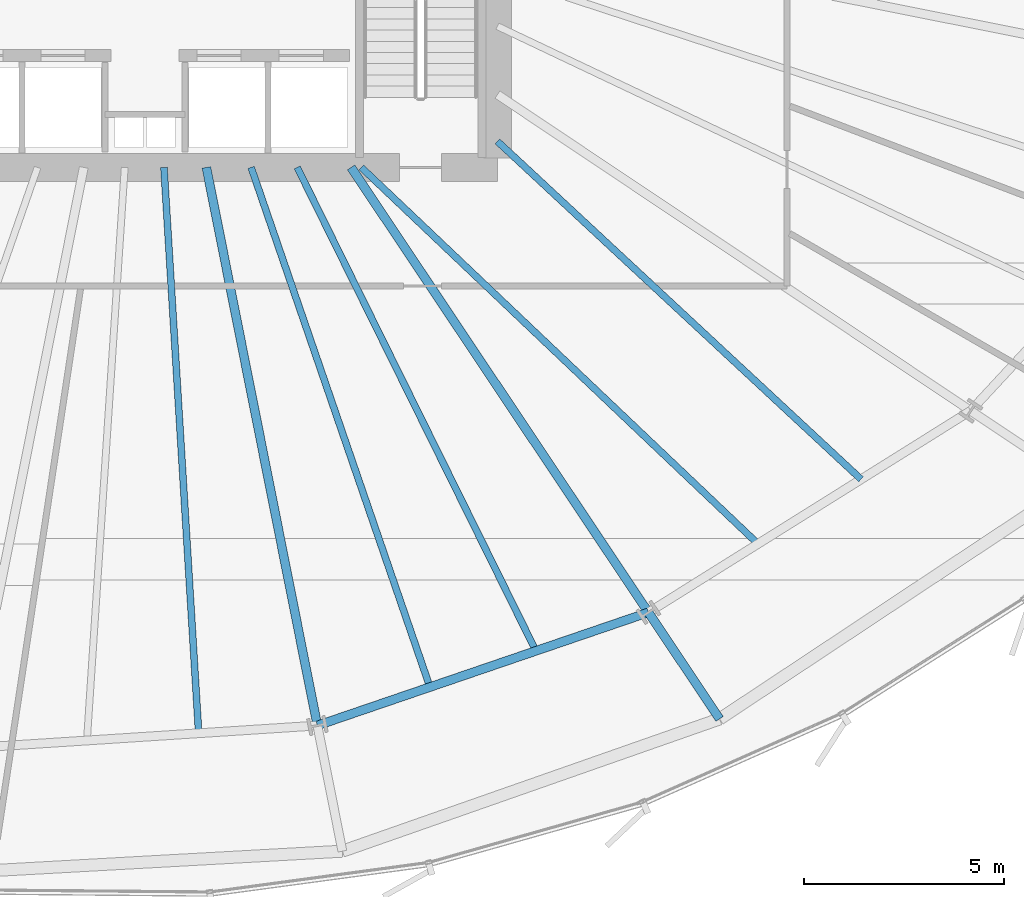
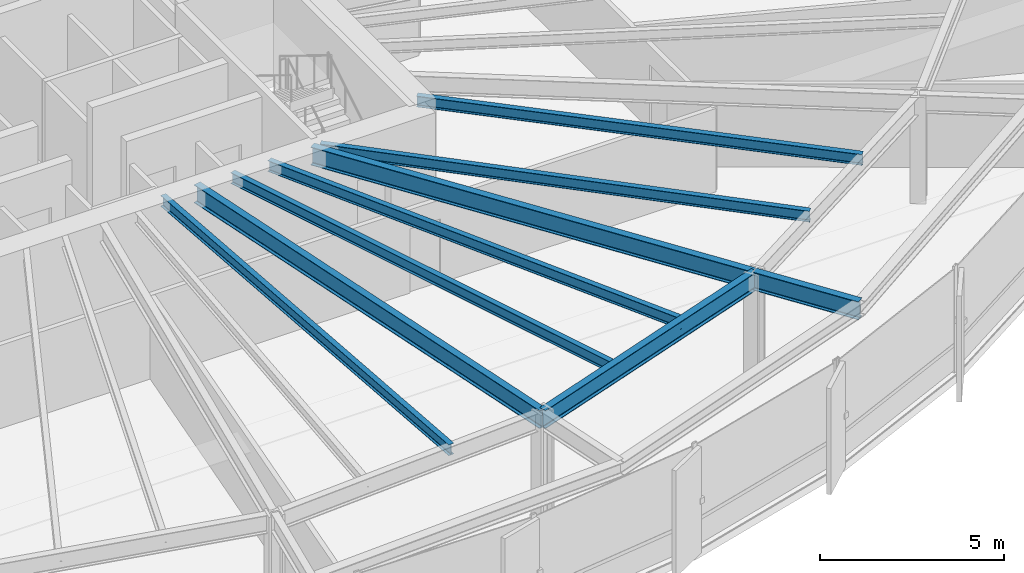
# One storey, part 12 of 39: 9 beams.
"""IFC4 building model written with IfcOpenShell, lengths in metres."""

from ifc_helpers import new_model, si_unit, direction, frame, origin, origin_2d, place, context, subcontext, project, spatial, i_section, extrude, source, transform, mapped, material, material_profile, profile_set, type_object, element, save


model = new_model("IFC4")

# Units and contexts
model_context = context("Model", 3, precision=1e-05, world=origin(), true_north=direction((0.0, 1.0)))
body_context = subcontext(model_context, "Body", "Model", "MODEL_VIEW")
ifc_project = project(units=[si_unit("LENGTHUNIT", "METRE"), si_unit("AREAUNIT", "SQUARE_METRE"), si_unit("VOLUMEUNIT", "CUBIC_METRE"), si_unit("PLANEANGLEUNIT", "RADIAN"), si_unit("MASSUNIT", "GRAM", prefix="KILO"), si_unit("THERMODYNAMICTEMPERATUREUNIT", "KELVIN")], contexts=[model_context])

# Site, building, storey
site_placement = place(None, origin())
site = spatial("IfcSite", under=ifc_project, at=site_placement, CompositionType="ELEMENT")
building_placement = place(site_placement, origin())
building = spatial("IfcBuilding", under=site, at=building_placement, Name="Kethvar Cultural Tower", CompositionType="ELEMENT")
storey_placement = place(building_placement, frame((0.0, 0.0, 44.800048828125)))
storey = spatial("IfcBuildingStorey", under=building, at=storey_placement, Name="L10", CompositionType="ELEMENT", Elevation=44.800048828125)

# Beams
ifc_material = material(Name="Steel S355J2", Category="steel")
ifc_material_profile_1 = material_profile(ifc_material, i_section(OverallWidth=0.219970703125, OverallDepth=0.60009765625, WebThickness=0.011962890625, FlangeThickness=0.01904296875, FilletRadius=0.02392578125, at=origin_2d()), Name="Steel S355J2 — IPE600")
ifc_profile_set_1 = profile_set([ifc_material_profile_1], Name="Steel S355J2 — IPE600")
beam_type_1 = type_object("IfcBeamType", Name="BM-IPE600", PredefinedType="BEAM", material=ifc_profile_set_1)
shared_shape_1 = source(origin(), body_context, "Body", "SweptSolid", [
    extrude(i_section(OverallWidth=0.219970703125, OverallDepth=0.60009765625, WebThickness=0.011962890625, FlangeThickness=0.01904296875, FilletRadius=0.02392578125, at=origin_2d()), origin(), (0.0, 0.0, 1.0), 3.199951171875),
])
beam_1_placement = place(storey_placement, frame((59.370361328125, 8.987060546875, 3.248046875), z_axis=(0.555580212716, -0.831462943996, 0.0), x_axis=(0.831462943996, 0.555580212716, 0.0)))
element("IfcBeam", 1, at=beam_1_placement, inside=storey, type_object=beam_type_1, Name="L10 Perimeter Cantilever Beam RC-14", PredefinedType="BEAM", context=body_context, shape_type="MappedRepresentation", body=[
    mapped(shared_shape_1, transform((0.0, 0.0, 0.0), scale=1.0)),
])
shared_shape_2 = source(origin(), body_context, "Body", "SweptSolid", [
    extrude(i_section(OverallWidth=0.219970703125, OverallDepth=0.60009765625, WebThickness=0.011962890625, FlangeThickness=0.01904296875, FilletRadius=0.02392578125, at=origin_2d()), origin(), (0.0, 0.0, 1.0), 14.210693359375),
])
beam_2_placement = place(storey_placement, frame((48.33154296875, 20.10009765625, 3.248046875), z_axis=(0.195098432651, -0.980783667063, 0.0), x_axis=(0.980783667063, 0.195098432651, 0.0)))
element("IfcBeam", 2, at=beam_2_placement, inside=storey, type_object=beam_type_1, Name="L10 Primary Radial Beam RB-13", PredefinedType="BEAM", context=body_context, shape_type="MappedRepresentation", body=[
    mapped(shared_shape_2, transform((0.0, 0.0, 0.0), scale=1.0)),
])
shared_shape_3 = source(origin(), body_context, "Body", "SweptSolid", [
    extrude(i_section(OverallWidth=0.219970703125, OverallDepth=0.60009765625, WebThickness=0.011962890625, FlangeThickness=0.01904296875, FilletRadius=0.02392578125, at=origin_2d()), origin(), (0.0, 0.0, 1.0), 13.365478515625),
])
beam_3_placement = place(storey_placement, frame((51.945068359375, 20.10009765625, 3.248046875), z_axis=(0.555559834465, -0.831476560301, 0.0), x_axis=(0.831476560301, 0.555559834465, 0.0)))
element("IfcBeam", 3, at=beam_3_placement, inside=storey, type_object=beam_type_1, Name="L10 Primary Radial Beam RB-14", PredefinedType="BEAM", context=body_context, shape_type="MappedRepresentation", body=[
    mapped(shared_shape_3, transform((0.0, 0.0, 0.0), scale=1.0)),
])
ifc_material_profile_2 = material_profile(ifc_material, i_section(OverallWidth=0.169921875, OverallDepth=0.360107421875, WebThickness=0.008056640625, FlangeThickness=0.0126953125, FilletRadius=0.01806640625, at=origin_2d()), Name="Steel S355J2 — IPE360")
ifc_profile_set_2 = profile_set([ifc_material_profile_2], Name="Steel S355J2 — IPE360")
beam_type_2 = type_object("IfcBeamType", Name="BM-J360", PredefinedType="JOIST", material=ifc_profile_set_2)
shared_shape_4 = source(origin(), body_context, "Body", "SweptSolid", [
    extrude(i_section(OverallWidth=0.169921875, OverallDepth=0.360107421875, WebThickness=0.008056640625, FlangeThickness=0.0126953125, FilletRadius=0.01806640625, at=origin_2d()), origin(), (0.0, 0.0, 1.0), 14.156494140625),
])
beam_4_placement = place(storey_placement, frame((47.272216796875, 20.10009765625, 3.367919921875), z_axis=(0.06122296991, -0.998124114505, 0.0), x_axis=(0.998124114505, 0.06122296991, 0.0)))
element("IfcBeam", 4, at=beam_4_placement, inside=storey, type_object=beam_type_2, Name="L10 Composite Floor Joist J-12B", PredefinedType="JOIST", context=body_context, shape_type="MappedRepresentation", body=[
    mapped(shared_shape_4, transform((0.0, 0.0, 0.0), scale=1.0)),
])
shared_shape_5 = source(origin(), body_context, "Body", "SweptSolid", [
    extrude(i_section(OverallWidth=0.219970703125, OverallDepth=0.60009765625, WebThickness=0.011962890625, FlangeThickness=0.01904296875, FilletRadius=0.02392578125, at=origin_2d()), origin(), (0.0, 0.0, 1.0), 8.735595703125),
])
beam_5_placement = place(storey_placement, frame((51.10400390625, 6.16259765625, 3.248046875), z_axis=(0.946286676119, 0.323328821171, 0.0), x_axis=(-0.323328821171, 0.946286676119, 0.0)))
element("IfcBeam", 5, at=beam_5_placement, inside=storey, type_object=beam_type_1, Name="L10 Column Ring Tie Beam CR-13", PredefinedType="BEAM", context=body_context, shape_type="MappedRepresentation", body=[
    mapped(shared_shape_5, transform((0.0, 0.0, 0.0), scale=1.0)),
])
shared_shape_6 = source(origin(), body_context, "Body", "SweptSolid", [
    extrude(i_section(OverallWidth=0.169921875, OverallDepth=0.360107421875, WebThickness=0.008056640625, FlangeThickness=0.0126953125, FilletRadius=0.01806640625, at=origin_2d()), origin(), (0.0, 0.0, 1.0), 13.7236328125),
])
beam_6_placement = place(storey_placement, frame((49.449462890625, 20.10009765625, 3.367919921875), z_axis=(0.325355191569, -0.945591877778, 0.0), x_axis=(0.945591877778, 0.325355191569, 0.0)))
element("IfcBeam", 6, at=beam_6_placement, inside=storey, type_object=beam_type_2, Name="L10 Composite Floor Joist J-13A", PredefinedType="JOIST", context=body_context, shape_type="MappedRepresentation", body=[
    mapped(shared_shape_6, transform((0.0, 0.0, 0.0), scale=1.0)),
])
shared_shape_7 = source(origin(), body_context, "Body", "SweptSolid", [
    extrude(i_section(OverallWidth=0.169921875, OverallDepth=0.360107421875, WebThickness=0.008056640625, FlangeThickness=0.0126953125, FilletRadius=0.01806640625, at=origin_2d()), origin(), (0.0, 0.0, 1.0), 13.4638671875),
])
beam_7_placement = place(storey_placement, frame((50.6005859375, 20.10009765625, 3.367919921875), z_axis=(0.442609148219, -0.89671463795, 0.0), x_axis=(0.89671463795, 0.442609148219, 0.0)))
element("IfcBeam", 7, at=beam_7_placement, inside=storey, type_object=beam_type_2, Name="L10 Composite Floor Joist J-13B", PredefinedType="JOIST", context=body_context, shape_type="MappedRepresentation", body=[
    mapped(shared_shape_7, transform((0.0, 0.0, 0.0), scale=1.0)),
])
shared_shape_8 = source(origin(), body_context, "Body", "SweptSolid", [
    extrude(i_section(OverallWidth=0.169921875, OverallDepth=0.360107421875, WebThickness=0.008056640625, FlangeThickness=0.0126953125, FilletRadius=0.01806640625, at=origin_2d()), origin(), (0.0, 0.0, 1.0), 13.656982421875),
])
beam_8_placement = place(storey_placement, frame((52.199951171875, 20.10009765625, 3.367919921875), z_axis=(0.725392974221, -0.688334971472, 0.0), x_axis=(0.688334971472, 0.725392974221, 0.0)))
element("IfcBeam", 8, at=beam_8_placement, inside=storey, type_object=beam_type_2, Name="L10 Composite Floor Joist J-14A", PredefinedType="JOIST", context=body_context, shape_type="MappedRepresentation", body=[
    mapped(shared_shape_8, transform((0.0, 0.0, 0.0), scale=1.0)),
])
shared_shape_9 = source(origin(), body_context, "Body", "SweptSolid", [
    extrude(i_section(OverallWidth=0.169921875, OverallDepth=0.360107421875, WebThickness=0.008056640625, FlangeThickness=0.0126953125, FilletRadius=0.01806640625, at=origin_2d()), origin(), (0.0, 0.0, 1.0), 12.3974609375),
])
beam_9_placement = place(storey_placement, frame((55.60009765625, 20.75, 3.367919921875), z_axis=(0.732566203092, -0.68069578968, 0.0), x_axis=(0.68069578968, 0.732566203092, 0.0)))
element("IfcBeam", 9, at=beam_9_placement, inside=storey, type_object=beam_type_2, Name="L10 Composite Floor Joist J-14B", PredefinedType="JOIST", context=body_context, shape_type="MappedRepresentation", body=[
    mapped(shared_shape_9, transform((0.0, 0.0, 0.0), scale=1.0)),
])

save(model, "model.ifc")
